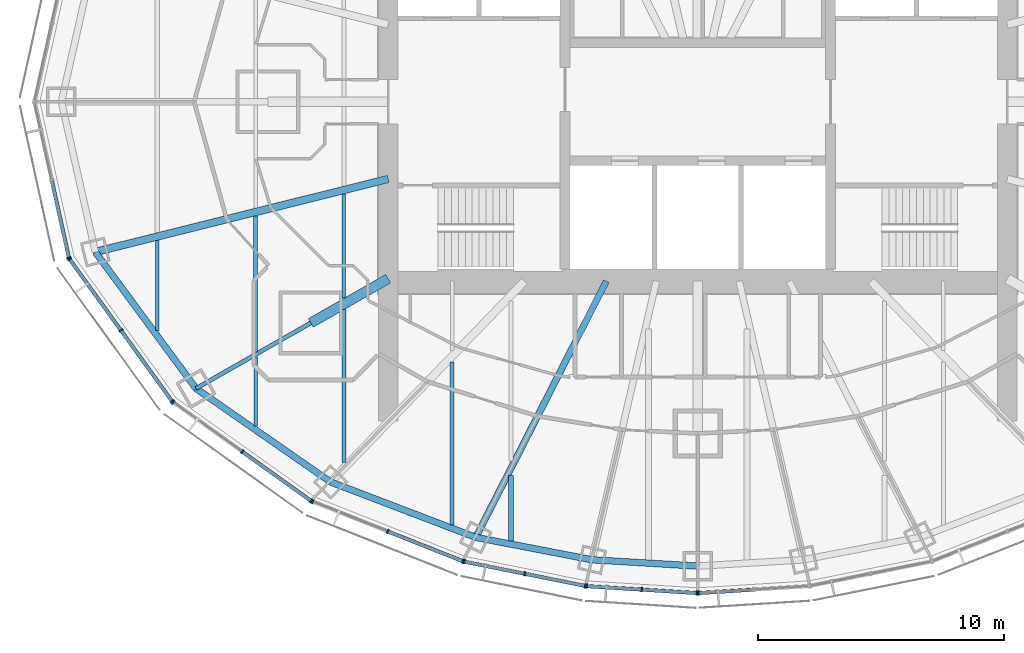
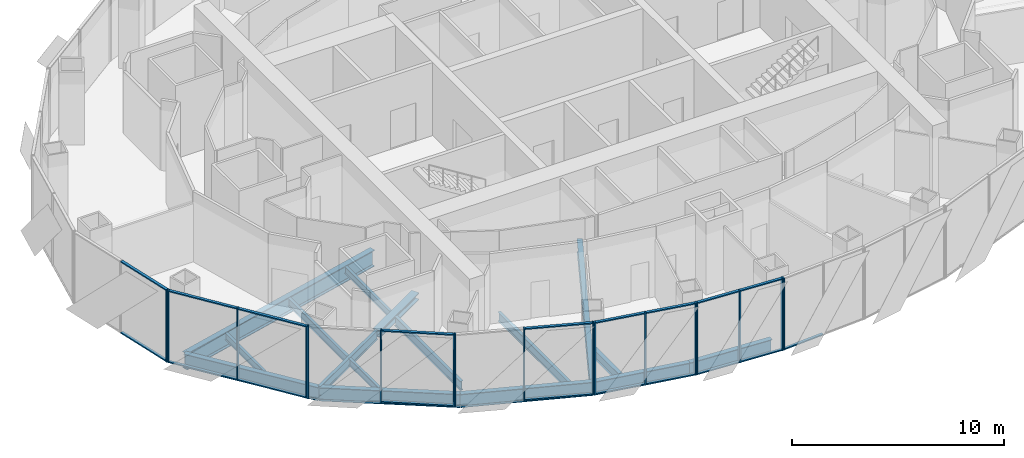
# One storey, part 2 of 18: 36 members, 16 beams, 7 elements without a shape of their own.
"""IFC4 building model written with IfcOpenShell, lengths in metres."""

from ifc_helpers import new_model, si_unit, direction, frame, origin, origin_2d, place, context, subcontext, project, spatial, rectangle, i_section, extrude, material, material_profile, profile_set, type_object, element, aggregate, save


model = new_model("IFC4")

# Units and contexts
model_context = context("Model", 3, precision=1e-05, world=origin(), true_north=direction((0.0, 1.0)))
body_context = subcontext(model_context, "Body", "Model", "MODEL_VIEW")
ifc_project = project(units=[si_unit("LENGTHUNIT", "METRE"), si_unit("AREAUNIT", "SQUARE_METRE"), si_unit("VOLUMEUNIT", "CUBIC_METRE"), si_unit("PLANEANGLEUNIT", "RADIAN"), si_unit("MASSUNIT", "GRAM", prefix="KILO")], contexts=[model_context])

# Site, building, storey
site_placement = place(None, origin())
site = spatial("IfcSite", under=ifc_project, at=site_placement, CompositionType="ELEMENT")
building_placement = place(site_placement, origin())
building = spatial("IfcBuilding", under=site, at=building_placement, Name="Lantaw Convention Tower", CompositionType="ELEMENT")
storey_placement = place(building_placement, frame((0.0, 0.0, 228.39990234375)))
storey = spatial("IfcBuildingStorey", under=building, at=storey_placement, Name="L53", CompositionType="ELEMENT", Elevation=228.39990234375)

# Beams
ifc_material_1 = material(Name="Steel ASTM A992", Category="steel")
ifc_material_profile_1 = material_profile(ifc_material_1, i_section(OverallWidth=0.2666015625, OverallDepth=0.76953125, WebThickness=0.015625, FlangeThickness=0.025390625, FilletRadius=0.0126953125, at=origin_2d()), Name="W30X132")
ifc_profile_set_1 = profile_set([ifc_material_profile_1], Name="Steel ASTM A992")
beam_type_1 = type_object("IfcBeamType", Name="Beam E W30X132", PredefinedType="SPANDREL", material=ifc_profile_set_1)
beam_1_placement = place(storey_placement, frame((-24.52197265625, -6.114013671875, -0.53466796875), z_axis=(0.593639188853, -0.804731329984, 0.0), x_axis=(0.804731329984, 0.593639188853, 0.0)))
element("IfcBeam", 1, at=beam_1_placement, inside=storey, type_object=beam_type_1, Name="Edge beam 14", PredefinedType="SPANDREL", context=body_context, shape_type="SweptSolid", body=[
    extrude(i_section(OverallWidth=0.2666015625, OverallDepth=0.76953125, WebThickness=0.015625, FlangeThickness=0.025390625, FilletRadius=0.0126953125, at=origin_2d()), origin(), (0.0, 0.0, 1.0), 6.904541015625),
])
beam_2_placement = place(storey_placement, frame((-20.423095703125, -11.67041015625, -0.53466796875), z_axis=(0.82135329406, -0.570419815869, 0.0), x_axis=(0.570419815869, 0.82135329406, 0.0)))
element("IfcBeam", 2, at=beam_2_placement, inside=storey, type_object=beam_type_1, Name="Edge beam 15", PredefinedType="SPANDREL", context=body_context, shape_type="SweptSolid", body=[
    extrude(i_section(OverallWidth=0.2666015625, OverallDepth=0.76953125, WebThickness=0.015625, FlangeThickness=0.025390625, FilletRadius=0.0126953125, at=origin_2d()), origin(), (0.0, 0.0, 1.0), 6.67041015625),
])
beam_3_placement = place(storey_placement, frame((-14.9443359375, -15.475341796875, -0.53466796875), z_axis=(0.934234988, -0.356658081637, 0.0), x_axis=(0.356658081637, 0.934234988, 0.0)))
element("IfcBeam", 3, at=beam_3_placement, inside=storey, type_object=beam_type_1, Name="Edge beam 16", PredefinedType="SPANDREL", context=body_context, shape_type="SweptSolid", body=[
    extrude(i_section(OverallWidth=0.2666015625, OverallDepth=0.76953125, WebThickness=0.015625, FlangeThickness=0.025390625, FilletRadius=0.0126953125, at=origin_2d()), origin(), (0.0, 0.0, 1.0), 6.32568359375),
])
beam_4_placement = place(storey_placement, frame((-9.03466796875, -17.7314453125, -0.53466796875), z_axis=(0.981972091702, -0.189025953556, 0.0), x_axis=(0.189025953556, 0.981972091702, 0.0)))
element("IfcBeam", 4, at=beam_4_placement, inside=storey, type_object=beam_type_1, Name="Edge beam 17", PredefinedType="SPANDREL", context=body_context, shape_type="SweptSolid", body=[
    extrude(i_section(OverallWidth=0.2666015625, OverallDepth=0.76953125, WebThickness=0.015625, FlangeThickness=0.025390625, FilletRadius=0.0126953125, at=origin_2d()), origin(), (0.0, 0.0, 1.0), 4.817626953125),
])
beam_5_placement = place(storey_placement, frame((-4.303955078125, -18.64208984375, -0.53466796875), z_axis=(0.998210730897, -0.059794119452, 0.0), x_axis=(0.059794119452, 0.998210730897, 0.0)))
element("IfcBeam", 5, at=beam_5_placement, inside=storey, type_object=beam_type_1, Name="Edge beam 18", PredefinedType="SPANDREL", context=body_context, shape_type="SweptSolid", body=[
    extrude(i_section(OverallWidth=0.2666015625, OverallDepth=0.76953125, WebThickness=0.015625, FlangeThickness=0.025390625, FilletRadius=0.0126953125, at=origin_2d()), origin(), (0.0, 0.0, 1.0), 4.311767578125),
])
ifc_material_profile_2 = material_profile(ifc_material_1, i_section(OverallWidth=0.1650390625, OverallDepth=0.52587890625, WebThickness=0.0087890625, FlangeThickness=0.011474609375, FilletRadius=0.0126953125, at=origin_2d()), Name="W21X44")
ifc_profile_set_2 = profile_set([ifc_material_profile_2], Name="Steel ASTM A992")
beam_type_2 = type_object("IfcBeamType", Name="Beam G W21X44", PredefinedType="BEAM", material=ifc_profile_set_2)
beam_6_placement = place(storey_placement, frame((-15.75, -9.0, -0.412841796875), z_axis=(-0.868237559289, -0.496148708192, 0.0), x_axis=(0.496148708192, -0.868237559289, 0.0)))
element("IfcBeam", 6, at=beam_6_placement, inside=storey, type_object=beam_type_2, Name="Floor girder on ray 15", PredefinedType="BEAM", context=body_context, shape_type="SweptSolid", body=[
    extrude(i_section(OverallWidth=0.1650390625, OverallDepth=0.52587890625, WebThickness=0.0087890625, FlangeThickness=0.011474609375, FilletRadius=0.0126953125, at=origin_2d()), origin(), (0.0, 0.0, 1.0), 5.38232421875),
])
ifc_material_profile_3 = material_profile(ifc_material_1, i_section(OverallWidth=0.2666015625, OverallDepth=0.7568359375, WebThickness=0.013916015625, FlangeThickness=0.019287109375, FilletRadius=0.0126953125, at=origin_2d()), Name="W30X108")
ifc_profile_set_3 = profile_set([ifc_material_profile_3], Name="Steel ASTM A992")
beam_type_3 = type_object("IfcBeamType", Name="Beam G W30X108", PredefinedType="BEAM", material=ifc_profile_set_3)
beam_7_placement = place(storey_placement, frame((-3.719482421875, -7.300048828125, -0.5283203125), z_axis=(-0.4539988787, -0.891002254845, 0.0), x_axis=(0.891002254845, -0.4539988787, 0.0)))
element("IfcBeam", 7, at=beam_7_placement, inside=storey, type_object=beam_type_3, Name="Floor girder on ray 17", PredefinedType="BEAM", context=body_context, shape_type="SweptSolid", body=[
    extrude(i_section(OverallWidth=0.2666015625, OverallDepth=0.7568359375, WebThickness=0.013916015625, FlangeThickness=0.019287109375, FilletRadius=0.0126953125, at=origin_2d()), origin(), (0.0, 0.0, 1.0), 11.70751953125),
])
ifc_material_profile_4 = material_profile(ifc_material_1, i_section(OverallWidth=0.307373046875, OverallDepth=0.9423828125, WebThickness=0.022216796875, FlangeThickness=0.039794921875, FilletRadius=0.0126953125, at=origin_2d()), Name="W36X232")
ifc_profile_set_4 = profile_set([ifc_material_profile_4], Name="Steel ASTM A992")
beam_type_4 = type_object("IfcBeamType", Name="Beam G W36X232", PredefinedType="BEAM", material=ifc_profile_set_4)
beam_8_placement = place(storey_placement, frame((-12.60009765625, -3.1416015625, -0.62109375), z_axis=(-0.970296589314, -0.241918434119, 0.0), x_axis=(0.241918434119, -0.970296589314, 0.0)))
element("IfcBeam", 8, at=beam_8_placement, inside=storey, type_object=beam_type_4, Name="Floor girder on ray 14", PredefinedType="BEAM", context=body_context, shape_type="SweptSolid", body=[
    extrude(i_section(OverallWidth=0.307373046875, OverallDepth=0.9423828125, WebThickness=0.022216796875, FlangeThickness=0.039794921875, FilletRadius=0.0126953125, at=origin_2d()), origin(), (0.0, 0.0, 1.0), 12.286865234375),
])
ifc_material_profile_5 = material_profile(ifc_material_1, i_section(OverallWidth=0.40380859375, OverallDepth=0.406494140625, WebThickness=0.027099609375, FlangeThickness=0.043701171875, FilletRadius=0.01513671875, at=origin_2d()), Name="W14X233")
ifc_profile_set_5 = profile_set([ifc_material_profile_5], Name="Steel ASTM A992")
beam_type_5 = type_object("IfcBeamType", Name="Beam GM W14X233", PredefinedType="BEAM", material=ifc_profile_set_5)
beam_9_placement = place(storey_placement, frame((-12.60009765625, -7.199951171875, -0.35302734375), z_axis=(-0.868230718294, -0.496160679428, 0.0), x_axis=(0.496160679428, -0.868230718294, 0.0)))
element("IfcBeam", 9, at=beam_9_placement, inside=storey, type_object=beam_type_5, Name="Core link beam on ray 15", PredefinedType="BEAM", context=body_context, shape_type="SweptSolid", body=[
    extrude(i_section(OverallWidth=0.40380859375, OverallDepth=0.406494140625, WebThickness=0.027099609375, FlangeThickness=0.043701171875, FilletRadius=0.01513671875, at=origin_2d()), origin(), (0.0, 0.0, 1.0), 3.6279296875),
])
ifc_material_profile_6 = material_profile(ifc_material_1, i_section(OverallWidth=0.140380859375, OverallDepth=0.40380859375, WebThickness=0.007080078125, FlangeThickness=0.01123046875, FilletRadius=0.01025390625, at=origin_2d()), Name="W16X31")
ifc_profile_set_6 = profile_set([ifc_material_profile_6], Name="Steel ASTM A992")
beam_type_6 = type_object("IfcBeamType", Name="Beam J W16X31", PredefinedType="JOIST", material=ifc_profile_set_6)
beam_10_placement = place(storey_placement, frame((-22.0, -9.30810546875, -0.351806640625), z_axis=(0.0, 1.0, 0.0), x_axis=(-1.0, 0.0, 0.0)))
element("IfcBeam", 10, at=beam_10_placement, inside=storey, type_object=beam_type_6, Name="Floor joist", PredefinedType="JOIST", context=body_context, shape_type="SweptSolid", body=[
    extrude(i_section(OverallWidth=0.140380859375, OverallDepth=0.40380859375, WebThickness=0.007080078125, FlangeThickness=0.01123046875, FilletRadius=0.01025390625, at=origin_2d()), origin(), (0.0, 0.0, 1.0), 3.66455078125),
])
beam_11_placement = place(storey_placement, frame((-18.0, -13.19091796875, -0.351806640625), z_axis=(0.0, 1.0, 0.0), x_axis=(-1.0, 0.0, 0.0)))
element("IfcBeam", 11, at=beam_11_placement, inside=storey, type_object=beam_type_6, Name="Floor joist", PredefinedType="JOIST", context=body_context, shape_type="SweptSolid", body=[
    extrude(i_section(OverallWidth=0.140380859375, OverallDepth=0.40380859375, WebThickness=0.007080078125, FlangeThickness=0.01123046875, FilletRadius=0.01025390625, at=origin_2d()), origin(), (0.0, 0.0, 1.0), 2.81005859375),
])
beam_12_placement = place(storey_placement, frame((-14.39990234375, -7.99609375, -0.351806640625), z_axis=(0.0, 1.0, 0.0), x_axis=(-1.0, 0.0, 0.0)))
element("IfcBeam", 12, at=beam_12_placement, inside=storey, type_object=beam_type_6, Name="Floor joist", PredefinedType="JOIST", context=body_context, shape_type="SweptSolid", body=[
    extrude(i_section(OverallWidth=0.140380859375, OverallDepth=0.40380859375, WebThickness=0.007080078125, FlangeThickness=0.01123046875, FilletRadius=0.01025390625, at=origin_2d()), origin(), (0.0, 0.0, 1.0), 4.247314453125),
])
ifc_material_profile_7 = material_profile(ifc_material_1, i_section(OverallWidth=0.15234375, OverallDepth=0.449462890625, WebThickness=0.007568359375, FlangeThickness=0.0107421875, FilletRadius=0.01025390625, at=origin_2d()), Name="W18X35")
ifc_profile_set_7 = profile_set([ifc_material_profile_7], Name="Steel ASTM A992")
beam_type_7 = type_object("IfcBeamType", Name="Beam J W18X35", PredefinedType="JOIST", material=ifc_profile_set_7)
beam_13_placement = place(storey_placement, frame((-18.0, -10.190673828125, -0.374755859375), z_axis=(0.0, 1.0, 0.0), x_axis=(-1.0, 0.0, 0.0)))
element("IfcBeam", 13, at=beam_13_placement, inside=storey, type_object=beam_type_7, Name="Floor joist", PredefinedType="JOIST", context=body_context, shape_type="SweptSolid", body=[
    extrude(i_section(OverallWidth=0.15234375, OverallDepth=0.449462890625, WebThickness=0.007568359375, FlangeThickness=0.0107421875, FilletRadius=0.01025390625, at=origin_2d()), origin(), (0.0, 0.0, 1.0), 5.54443359375),
])
ifc_material_profile_8 = material_profile(ifc_material_1, i_section(OverallWidth=0.1650390625, OverallDepth=0.52587890625, WebThickness=0.0087890625, FlangeThickness=0.011474609375, FilletRadius=0.0126953125, at=origin_2d()), Name="W21X44")
ifc_profile_set_8 = profile_set([ifc_material_profile_8], Name="Steel ASTM A992")
beam_type_8 = type_object("IfcBeamType", Name="Beam J W21X44", PredefinedType="JOIST", material=ifc_profile_set_8)
beam_14_placement = place(storey_placement, frame((-14.39990234375, -14.67578125, -0.412841796875), z_axis=(0.0, 1.0, 0.0), x_axis=(-1.0, 0.0, 0.0)))
element("IfcBeam", 14, at=beam_14_placement, inside=storey, type_object=beam_type_8, Name="Floor joist", PredefinedType="JOIST", context=body_context, shape_type="SweptSolid", body=[
    extrude(i_section(OverallWidth=0.1650390625, OverallDepth=0.52587890625, WebThickness=0.0087890625, FlangeThickness=0.011474609375, FilletRadius=0.0126953125, at=origin_2d()), origin(), (0.0, 0.0, 1.0), 6.214599609375),
])
beam_15_placement = place(storey_placement, frame((-10.0, -17.22021484375, -0.412841796875), z_axis=(0.0, 1.0, 0.0), x_axis=(-1.0, 0.0, 0.0)))
element("IfcBeam", 15, at=beam_15_placement, inside=storey, type_object=beam_type_8, Name="Floor joist", PredefinedType="JOIST", context=body_context, shape_type="SweptSolid", body=[
    extrude(i_section(OverallWidth=0.1650390625, OverallDepth=0.52587890625, WebThickness=0.0087890625, FlangeThickness=0.011474609375, FilletRadius=0.0126953125, at=origin_2d()), origin(), (0.0, 0.0, 1.0), 6.629150390625),
])
ifc_material_profile_9 = material_profile(ifc_material_1, i_section(OverallWidth=0.2099609375, OverallDepth=0.535888671875, WebThickness=0.010986328125, FlangeThickness=0.017333984375, FilletRadius=0.012939453125, at=origin_2d()), Name="W21X68")
ifc_profile_set_9 = profile_set([ifc_material_profile_9], Name="Steel ASTM A992")
beam_type_9 = type_object("IfcBeamType", Name="Beam J W21X68", PredefinedType="JOIST", material=ifc_profile_set_9)
beam_16_placement = place(storey_placement, frame((-7.60009765625, -17.871826171875, -0.41796875), z_axis=(0.0, 1.0, 0.0), x_axis=(-1.0, 0.0, 0.0)))
element("IfcBeam", 16, at=beam_16_placement, inside=storey, type_object=beam_type_9, Name="Floor joist", PredefinedType="JOIST", context=body_context, shape_type="SweptSolid", body=[
    extrude(i_section(OverallWidth=0.2099609375, OverallDepth=0.535888671875, WebThickness=0.010986328125, FlangeThickness=0.017333984375, FilletRadius=0.012939453125, at=origin_2d()), origin(), (0.0, 0.0, 1.0), 2.662353515625),
])

# Curtain wall, member
ifc_material_2 = material(Name="Aluminium framed curtain wall", Category="aluminium")
curtain_wall_type = type_object("IfcCurtainWallType", Name="Office curtain wall high rise, pale aluminium", PredefinedType="USERDEFINED", material=ifc_material_2)
curtain_wall_1_placement = place(storey_placement, origin())
curtain_wall_1 = element("IfcCurtainWall", 17, at=curtain_wall_1_placement, inside=storey, type_object=curtain_wall_type, Name="Office curtain wall high rise, pale aluminium L53", ObjectType="UNITISED CURTAIN WALL", PredefinedType="USERDEFINED")
ifc_material_3 = material(Name="Aluminium 6063-T6", Category="aluminium")
ifc_material_profile_10 = material_profile(ifc_material_3, rectangle(XDim=0.179931640625, YDim=0.06494140625, at=origin_2d()), Name="CW-O2 mullion 65x180")
ifc_profile_set_10 = profile_set([ifc_material_profile_10], Name="Aluminium 6063-T6")
member_type_1 = type_object("IfcMemberType", Name="CW-O2 mullion 65x180", PredefinedType="MULLION", material=ifc_profile_set_10)
member_1_placement = place(storey_placement, frame((-25.596435546875, -6.348388671875, -0.14990234375), z_axis=(0.0, 0.0, 1.0), x_axis=(0.976417396437, 0.215891333626, 0.0)))
member_1 = element("IfcMember", 18, at=member_1_placement, type_object=member_type_1, Name="CW-O2 mullion 3", PredefinedType="MULLION", context=body_context, shape_type="SweptSolid", body=[
    extrude(rectangle(XDim=0.179931640625, YDim=0.06494140625, at=origin_2d()), origin(), (0.0, 0.0, 1.0), 4.14990234375),
])

# Curtain wall, members
curtain_wall_2_placement = place(storey_placement, origin())
curtain_wall_2 = element("IfcCurtainWall", 19, at=curtain_wall_2_placement, inside=storey, type_object=curtain_wall_type, Name="Office curtain wall high rise, pale aluminium L53", ObjectType="UNITISED CURTAIN WALL", PredefinedType="USERDEFINED")
member_2_placement = place(storey_placement, frame((-25.5703125, -6.406494140625, -0.14990234375), z_axis=(0.0, 0.0, 1.0), x_axis=(0.810919559405, 0.585157643865, 0.0)))
member_2 = element("IfcMember", 20, at=member_2_placement, type_object=member_type_1, Name="CW-O2 mullion 1", PredefinedType="MULLION", context=body_context, shape_type="SweptSolid", body=[
    extrude(rectangle(XDim=0.179931640625, YDim=0.06494140625, at=origin_2d()), origin(), (0.0, 0.0, 1.0), 4.14990234375),
])
member_3_placement = place(storey_placement, frame((-23.483642578125, -9.298095703125, -0.14990234375), z_axis=(0.0, 0.0, 1.0), x_axis=(0.810919559405, 0.585157643865, 0.0)))
member_3 = element("IfcMember", 21, at=member_3_placement, type_object=member_type_1, Name="CW-O2 mullion 2", PredefinedType="MULLION", context=body_context, shape_type="SweptSolid", body=[
    extrude(rectangle(XDim=0.179931640625, YDim=0.06494140625, at=origin_2d()), origin(), (0.0, 0.0, 1.0), 4.14990234375),
])
member_4_placement = place(storey_placement, frame((-21.397216796875, -12.189697265625, -0.14990234375), z_axis=(0.0, 0.0, 1.0), x_axis=(0.810919559405, 0.585157643865, 0.0)))
member_4 = element("IfcMember", 22, at=member_4_placement, type_object=member_type_1, Name="CW-O2 mullion 3", PredefinedType="MULLION", context=body_context, shape_type="SweptSolid", body=[
    extrude(rectangle(XDim=0.179931640625, YDim=0.06494140625, at=origin_2d()), origin(), (0.0, 0.0, 1.0), 4.14990234375),
])

curtain_wall_3_placement = place(storey_placement, origin())
curtain_wall_3 = element("IfcCurtainWall", 23, at=curtain_wall_3_placement, inside=storey, type_object=curtain_wall_type, Name="Office curtain wall high rise, pale aluminium L53", ObjectType="UNITISED CURTAIN WALL", PredefinedType="USERDEFINED")
member_5_placement = place(storey_placement, frame((-21.3515625, -12.23486328125, -0.14990234375), z_axis=(0.0, 0.0, 1.0), x_axis=(0.581323487281, 0.813672540482, 0.0)))
member_5 = element("IfcMember", 24, at=member_5_placement, type_object=member_type_1, Name="CW-O2 mullion 1", PredefinedType="MULLION", context=body_context, shape_type="SweptSolid", body=[
    extrude(rectangle(XDim=0.179931640625, YDim=0.06494140625, at=origin_2d()), origin(), (0.0, 0.0, 1.0), 4.14990234375),
])
member_6_placement = place(storey_placement, frame((-18.543212890625, -14.241455078125, -0.14990234375), z_axis=(0.0, 0.0, 1.0), x_axis=(0.581323487281, 0.813672540482, 0.0)))
member_6 = element("IfcMember", 25, at=member_6_placement, type_object=member_type_1, Name="CW-O2 mullion 2", PredefinedType="MULLION", context=body_context, shape_type="SweptSolid", body=[
    extrude(rectangle(XDim=0.179931640625, YDim=0.06494140625, at=origin_2d()), origin(), (0.0, 0.0, 1.0), 4.14990234375),
])
member_7_placement = place(storey_placement, frame((-15.73486328125, -16.247802734375, -0.14990234375), z_axis=(0.0, 0.0, 1.0), x_axis=(0.581323487281, 0.813672540482, 0.0)))
member_7 = element("IfcMember", 26, at=member_7_placement, type_object=member_type_1, Name="CW-O2 mullion 3", PredefinedType="MULLION", context=body_context, shape_type="SweptSolid", body=[
    extrude(rectangle(XDim=0.179931640625, YDim=0.06494140625, at=origin_2d()), origin(), (0.0, 0.0, 1.0), 4.14990234375),
])

curtain_wall_4_placement = place(storey_placement, origin())
curtain_wall_4 = element("IfcCurtainWall", 27, at=curtain_wall_4_placement, inside=storey, type_object=curtain_wall_type, Name="Office curtain wall high rise, pale aluminium L53", ObjectType="UNITISED CURTAIN WALL", PredefinedType="USERDEFINED")
member_8_placement = place(storey_placement, frame((-15.67822265625, -16.278564453125, -0.14990234375), z_axis=(0.0, 0.0, 1.0), x_axis=(0.368162315252, 0.929761533743, 0.0)))
member_8 = element("IfcMember", 28, at=member_8_placement, type_object=member_type_1, Name="CW-O2 mullion 1", PredefinedType="MULLION", context=body_context, shape_type="SweptSolid", body=[
    extrude(rectangle(XDim=0.179931640625, YDim=0.06494140625, at=origin_2d()), origin(), (0.0, 0.0, 1.0), 4.14990234375),
])
member_9_placement = place(storey_placement, frame((-12.621337890625, -17.4892578125, -0.14990234375), z_axis=(0.0, 0.0, 1.0), x_axis=(0.368162315252, 0.929761533743, 0.0)))
member_9 = element("IfcMember", 29, at=member_9_placement, type_object=member_type_1, Name="CW-O2 mullion 2", PredefinedType="MULLION", context=body_context, shape_type="SweptSolid", body=[
    extrude(rectangle(XDim=0.179931640625, YDim=0.06494140625, at=origin_2d()), origin(), (0.0, 0.0, 1.0), 4.14990234375),
])
member_10_placement = place(storey_placement, frame((-9.564208984375, -18.69970703125, -0.14990234375), z_axis=(0.0, 0.0, 1.0), x_axis=(0.368162315252, 0.929761533743, 0.0)))
member_10 = element("IfcMember", 30, at=member_10_placement, type_object=member_type_1, Name="CW-O2 mullion 3", PredefinedType="MULLION", context=body_context, shape_type="SweptSolid", body=[
    extrude(rectangle(XDim=0.179931640625, YDim=0.06494140625, at=origin_2d()), origin(), (0.0, 0.0, 1.0), 4.14990234375),
])

curtain_wall_5_placement = place(storey_placement, origin())
curtain_wall_5 = element("IfcCurtainWall", 31, at=curtain_wall_5_placement, inside=storey, type_object=curtain_wall_type, Name="Office curtain wall high rise, pale aluminium L53", ObjectType="UNITISED CURTAIN WALL", PredefinedType="USERDEFINED")
member_11_placement = place(storey_placement, frame((-9.502197265625, -18.718017578125, -0.14990234375), z_axis=(0.0, 0.0, 1.0), x_axis=(0.197183095987, 0.980366679695, 0.0)))
member_11 = element("IfcMember", 32, at=member_11_placement, type_object=member_type_1, Name="CW-O2 mullion 1", PredefinedType="MULLION", context=body_context, shape_type="SweptSolid", body=[
    extrude(rectangle(XDim=0.179931640625, YDim=0.06494140625, at=origin_2d()), origin(), (0.0, 0.0, 1.0), 4.14990234375),
])
member_12_placement = place(storey_placement, frame((-7.042724609375, -19.212646484375, -0.14990234375), z_axis=(0.0, 0.0, 1.0), x_axis=(0.197183095987, 0.980366679695, 0.0)))
member_12 = element("IfcMember", 33, at=member_12_placement, type_object=member_type_1, Name="CW-O2 mullion 2", PredefinedType="MULLION", context=body_context, shape_type="SweptSolid", body=[
    extrude(rectangle(XDim=0.179931640625, YDim=0.06494140625, at=origin_2d()), origin(), (0.0, 0.0, 1.0), 4.14990234375),
])
member_13_placement = place(storey_placement, frame((-4.583251953125, -19.70751953125, -0.14990234375), z_axis=(0.0, 0.0, 1.0), x_axis=(0.197183095987, 0.980366679695, 0.0)))
member_13 = element("IfcMember", 34, at=member_13_placement, type_object=member_type_1, Name="CW-O2 mullion 3", PredefinedType="MULLION", context=body_context, shape_type="SweptSolid", body=[
    extrude(rectangle(XDim=0.179931640625, YDim=0.06494140625, at=origin_2d()), origin(), (0.0, 0.0, 1.0), 4.14990234375),
])

curtain_wall_6_placement = place(storey_placement, origin())
curtain_wall_6 = element("IfcCurtainWall", 35, at=curtain_wall_6_placement, inside=storey, type_object=curtain_wall_type, Name="Office curtain wall high rise, pale aluminium L53", ObjectType="UNITISED CURTAIN WALL", PredefinedType="USERDEFINED")
member_14_placement = place(storey_placement, frame((-4.518798828125, -19.7158203125, -0.14990234375), z_axis=(0.0, 0.0, 1.0), x_axis=(0.062757983884, 0.998028774865, 0.0)))
member_14 = element("IfcMember", 36, at=member_14_placement, type_object=member_type_1, Name="CW-O2 mullion 1", PredefinedType="MULLION", context=body_context, shape_type="SweptSolid", body=[
    extrude(rectangle(XDim=0.179931640625, YDim=0.06494140625, at=origin_2d()), origin(), (0.0, 0.0, 1.0), 4.14990234375),
])
member_15_placement = place(storey_placement, frame((-2.275634765625, -19.85693359375, -0.14990234375), z_axis=(0.0, 0.0, 1.0), x_axis=(0.062757983884, 0.998028774865, 0.0)))
member_15 = element("IfcMember", 37, at=member_15_placement, type_object=member_type_1, Name="CW-O2 mullion 2", PredefinedType="MULLION", context=body_context, shape_type="SweptSolid", body=[
    extrude(rectangle(XDim=0.179931640625, YDim=0.06494140625, at=origin_2d()), origin(), (0.0, 0.0, 1.0), 4.14990234375),
])
member_16_placement = place(storey_placement, frame((-0.032470703125, -19.998046875, -0.14990234375), z_axis=(0.0, 0.0, 1.0), x_axis=(0.062757983884, 0.998028774865, 0.0)))
member_16 = element("IfcMember", 38, at=member_16_placement, type_object=member_type_1, Name="CW-O2 mullion 3", PredefinedType="MULLION", context=body_context, shape_type="SweptSolid", body=[
    extrude(rectangle(XDim=0.179931640625, YDim=0.06494140625, at=origin_2d()), origin(), (0.0, 0.0, 1.0), 4.14990234375),
])

# Curtain wall, member
curtain_wall_7_placement = place(storey_placement, origin())
curtain_wall_7 = element("IfcCurtainWall", 39, at=curtain_wall_7_placement, inside=storey, type_object=curtain_wall_type, Name="Office curtain wall high rise, pale aluminium L53", ObjectType="UNITISED CURTAIN WALL", PredefinedType="USERDEFINED")
member_17_placement = place(storey_placement, frame((0.032470703125, -19.998046875, -0.14990234375), z_axis=(0.0, 0.0, 1.0), x_axis=(-0.062757983884, 0.998028774865, 0.0)))
member_17 = element("IfcMember", 40, at=member_17_placement, type_object=member_type_1, Name="CW-O2 mullion 1", PredefinedType="MULLION", context=body_context, shape_type="SweptSolid", body=[
    extrude(rectangle(XDim=0.179931640625, YDim=0.06494140625, at=origin_2d()), origin(), (0.0, 0.0, 1.0), 4.14990234375),
])

# Member
ifc_material_profile_11 = material_profile(ifc_material_3, rectangle(XDim=0.14990234375, YDim=0.06494140625, at=origin_2d()), Name="CW-O2 transom 65x150")
ifc_profile_set_11 = profile_set([ifc_material_profile_11], Name="Aluminium 6063-T6")
member_type_2 = type_object("IfcMemberType", Name="CW-O2 transom 65x150", PredefinedType="USERDEFINED", material=ifc_profile_set_11)
member_18_placement = place(storey_placement, frame((-26.28759765625, -3.2216796875, -0.117431640625), z_axis=(0.215894607042, -0.976416672661, 0.0), x_axis=(0.976416672661, 0.215894607042, 0.0)))
member_18 = element("IfcMember", 41, at=member_18_placement, type_object=member_type_2, Name="CW-O2 transom 2.1", ObjectType="TRANSOM", PredefinedType="USERDEFINED", context=body_context, shape_type="SweptSolid", body=[
    extrude(rectangle(XDim=0.14990234375, YDim=0.06494140625, at=origin_2d()), origin(), (0.0, 0.0, 1.0), 3.169677734375),
])

member_19_placement = place(storey_placement, frame((-26.28759765625, -3.2216796875, 3.967529296875), z_axis=(0.215894607042, -0.976416672661, 0.0), x_axis=(0.976416672661, 0.215894607042, 0.0)))
member_19 = element("IfcMember", 42, at=member_19_placement, type_object=member_type_2, Name="CW-O2 transom 2.2", ObjectType="TRANSOM", PredefinedType="USERDEFINED", context=body_context, shape_type="SweptSolid", body=[
    extrude(rectangle(XDim=0.14990234375, YDim=0.06494140625, at=origin_2d()), origin(), (0.0, 0.0, 1.0), 3.169677734375),
])

aggregate(curtain_wall_1, [member_1, member_18, member_19])

member_20_placement = place(storey_placement, frame((-25.55126953125, -6.432861328125, -0.117431640625), z_axis=(0.585169685931, -0.810910869743, 0.0), x_axis=(0.810910869743, 0.585169685931, 0.0)))
member_20 = element("IfcMember", 43, at=member_20_placement, type_object=member_type_2, Name="CW-O2 transom 1.1", ObjectType="TRANSOM", PredefinedType="USERDEFINED", context=body_context, shape_type="SweptSolid", body=[
    extrude(rectangle(XDim=0.14990234375, YDim=0.06494140625, at=origin_2d()), origin(), (0.0, 0.0, 1.0), 3.500732421875),
])

member_21_placement = place(storey_placement, frame((-25.55126953125, -6.432861328125, 3.967529296875), z_axis=(0.585169685931, -0.810910869743, 0.0), x_axis=(0.810910869743, 0.585169685931, 0.0)))
member_21 = element("IfcMember", 44, at=member_21_placement, type_object=member_type_2, Name="CW-O2 transom 1.2", ObjectType="TRANSOM", PredefinedType="USERDEFINED", context=body_context, shape_type="SweptSolid", body=[
    extrude(rectangle(XDim=0.14990234375, YDim=0.06494140625, at=origin_2d()), origin(), (0.0, 0.0, 1.0), 3.500732421875),
])

member_22_placement = place(storey_placement, frame((-23.464599609375, -9.324462890625, -0.117431640625), z_axis=(0.585123825205, -0.810943961798, 0.0), x_axis=(0.810943961798, 0.585123825205, 0.0)))
member_22 = element("IfcMember", 45, at=member_22_placement, type_object=member_type_2, Name="CW-O2 transom 2.1", ObjectType="TRANSOM", PredefinedType="USERDEFINED", context=body_context, shape_type="SweptSolid", body=[
    extrude(rectangle(XDim=0.14990234375, YDim=0.06494140625, at=origin_2d()), origin(), (0.0, 0.0, 1.0), 3.500732421875),
])

member_23_placement = place(storey_placement, frame((-23.464599609375, -9.324462890625, 3.967529296875), z_axis=(0.585123825205, -0.810943961798, 0.0), x_axis=(0.810943961798, 0.585123825205, 0.0)))
member_23 = element("IfcMember", 46, at=member_23_placement, type_object=member_type_2, Name="CW-O2 transom 2.2", ObjectType="TRANSOM", PredefinedType="USERDEFINED", context=body_context, shape_type="SweptSolid", body=[
    extrude(rectangle(XDim=0.14990234375, YDim=0.06494140625, at=origin_2d()), origin(), (0.0, 0.0, 1.0), 3.500732421875),
])

aggregate(curtain_wall_2, [member_2, member_3, member_4, member_20, member_21, member_22, member_23])

member_24_placement = place(storey_placement, frame((-18.516845703125, -14.26025390625, -0.117431640625), z_axis=(0.813645780821, -0.581360940683, 0.0), x_axis=(0.581360940683, 0.813645780821, 0.0)))
member_24 = element("IfcMember", 47, at=member_24_placement, type_object=member_type_2, Name="CW-O2 transom 2.1", ObjectType="TRANSOM", PredefinedType="USERDEFINED", context=body_context, shape_type="SweptSolid", body=[
    extrude(rectangle(XDim=0.14990234375, YDim=0.06494140625, at=origin_2d()), origin(), (0.0, 0.0, 1.0), 3.386474609375),
])

member_25_placement = place(storey_placement, frame((-18.516845703125, -14.26025390625, 3.967529296875), z_axis=(0.813645780821, -0.581360940683, 0.0), x_axis=(0.581360940683, 0.813645780821, 0.0)))
member_25 = element("IfcMember", 48, at=member_25_placement, type_object=member_type_2, Name="CW-O2 transom 2.2", ObjectType="TRANSOM", PredefinedType="USERDEFINED", context=body_context, shape_type="SweptSolid", body=[
    extrude(rectangle(XDim=0.14990234375, YDim=0.06494140625, at=origin_2d()), origin(), (0.0, 0.0, 1.0), 3.386474609375),
])

aggregate(curtain_wall_3, [member_5, member_6, member_7, member_24, member_25])

member_26_placement = place(storey_placement, frame((-12.591064453125, -17.501220703125, -0.117431640625), z_axis=(0.929766642946, -0.368149412149, 0.0), x_axis=(0.368149412149, 0.929766642946, 0.0)))
member_26 = element("IfcMember", 49, at=member_26_placement, type_object=member_type_2, Name="CW-O2 transom 2.1", ObjectType="TRANSOM", PredefinedType="USERDEFINED", context=body_context, shape_type="SweptSolid", body=[
    extrude(rectangle(XDim=0.14990234375, YDim=0.06494140625, at=origin_2d()), origin(), (0.0, 0.0, 1.0), 3.222900390625),
])

member_27_placement = place(storey_placement, frame((-12.591064453125, -17.501220703125, 3.967529296875), z_axis=(0.929766642946, -0.368149412149, 0.0), x_axis=(0.368149412149, 0.929766642946, 0.0)))
member_27 = element("IfcMember", 50, at=member_27_placement, type_object=member_type_2, Name="CW-O2 transom 2.2", ObjectType="TRANSOM", PredefinedType="USERDEFINED", context=body_context, shape_type="SweptSolid", body=[
    extrude(rectangle(XDim=0.14990234375, YDim=0.06494140625, at=origin_2d()), origin(), (0.0, 0.0, 1.0), 3.222900390625),
])

aggregate(curtain_wall_4, [member_8, member_9, member_10, member_26, member_27])

member_28_placement = place(storey_placement, frame((-9.47021484375, -18.724365234375, -0.117431640625), z_axis=(0.98036104319, -0.197211117829, 0.0), x_axis=(0.197211117829, 0.98036104319, 0.0)))
member_28 = element("IfcMember", 51, at=member_28_placement, type_object=member_type_2, Name="CW-O2 transom 1.1", ObjectType="TRANSOM", PredefinedType="USERDEFINED", context=body_context, shape_type="SweptSolid", body=[
    extrude(rectangle(XDim=0.14990234375, YDim=0.06494140625, at=origin_2d()), origin(), (0.0, 0.0, 1.0), 2.44384765625),
])

member_29_placement = place(storey_placement, frame((-9.47021484375, -18.724365234375, 3.967529296875), z_axis=(0.98036104319, -0.197211117829, 0.0), x_axis=(0.197211117829, 0.98036104319, 0.0)))
member_29 = element("IfcMember", 52, at=member_29_placement, type_object=member_type_2, Name="CW-O2 transom 1.2", ObjectType="TRANSOM", PredefinedType="USERDEFINED", context=body_context, shape_type="SweptSolid", body=[
    extrude(rectangle(XDim=0.14990234375, YDim=0.06494140625, at=origin_2d()), origin(), (0.0, 0.0, 1.0), 2.44384765625),
])

member_30_placement = place(storey_placement, frame((-7.0107421875, -19.21923828125, -0.117431640625), z_axis=(0.980380354178, -0.197115096178, 0.0), x_axis=(0.197115096178, 0.980380354178, 0.0)))
member_30 = element("IfcMember", 53, at=member_30_placement, type_object=member_type_2, Name="CW-O2 transom 2.1", ObjectType="TRANSOM", PredefinedType="USERDEFINED", context=body_context, shape_type="SweptSolid", body=[
    extrude(rectangle(XDim=0.14990234375, YDim=0.06494140625, at=origin_2d()), origin(), (0.0, 0.0, 1.0), 2.443603515625),
])

member_31_placement = place(storey_placement, frame((-7.0107421875, -19.21923828125, 3.967529296875), z_axis=(0.980380354178, -0.197115096178, 0.0), x_axis=(0.197115096178, 0.980380354178, 0.0)))
member_31 = element("IfcMember", 54, at=member_31_placement, type_object=member_type_2, Name="CW-O2 transom 2.2", ObjectType="TRANSOM", PredefinedType="USERDEFINED", context=body_context, shape_type="SweptSolid", body=[
    extrude(rectangle(XDim=0.14990234375, YDim=0.06494140625, at=origin_2d()), origin(), (0.0, 0.0, 1.0), 2.443603515625),
])

aggregate(curtain_wall_5, [member_11, member_12, member_13, member_28, member_29, member_30, member_31])

member_32_placement = place(storey_placement, frame((-4.486328125, -19.7177734375, -0.117431640625), z_axis=(0.998021991509, -0.062865765437, 0.0), x_axis=(0.062865765437, 0.998021991509, 0.0)))
member_32 = element("IfcMember", 55, at=member_32_placement, type_object=member_type_2, Name="CW-O2 transom 1.1", ObjectType="TRANSOM", PredefinedType="USERDEFINED", context=body_context, shape_type="SweptSolid", body=[
    extrude(rectangle(XDim=0.14990234375, YDim=0.06494140625, at=origin_2d()), origin(), (0.0, 0.0, 1.0), 2.1826171875),
])

member_33_placement = place(storey_placement, frame((-4.486328125, -19.7177734375, 3.967529296875), z_axis=(0.998021991509, -0.062865765437, 0.0), x_axis=(0.062865765437, 0.998021991509, 0.0)))
member_33 = element("IfcMember", 56, at=member_33_placement, type_object=member_type_2, Name="CW-O2 transom 1.2", ObjectType="TRANSOM", PredefinedType="USERDEFINED", context=body_context, shape_type="SweptSolid", body=[
    extrude(rectangle(XDim=0.14990234375, YDim=0.06494140625, at=origin_2d()), origin(), (0.0, 0.0, 1.0), 2.1826171875),
])

member_34_placement = place(storey_placement, frame((-2.2431640625, -19.85888671875, -0.117431640625), z_axis=(0.998029003644, -0.062754345555, 0.0), x_axis=(0.062754345555, 0.998029003644, 0.0)))
member_34 = element("IfcMember", 57, at=member_34_placement, type_object=member_type_2, Name="CW-O2 transom 2.1", ObjectType="TRANSOM", PredefinedType="USERDEFINED", context=body_context, shape_type="SweptSolid", body=[
    extrude(rectangle(XDim=0.14990234375, YDim=0.06494140625, at=origin_2d()), origin(), (0.0, 0.0, 1.0), 2.1826171875),
])

member_35_placement = place(storey_placement, frame((-2.2431640625, -19.85888671875, 3.967529296875), z_axis=(0.998029003644, -0.062754345555, 0.0), x_axis=(0.062754345555, 0.998029003644, 0.0)))
member_35 = element("IfcMember", 58, at=member_35_placement, type_object=member_type_2, Name="CW-O2 transom 2.2", ObjectType="TRANSOM", PredefinedType="USERDEFINED", context=body_context, shape_type="SweptSolid", body=[
    extrude(rectangle(XDim=0.14990234375, YDim=0.06494140625, at=origin_2d()), origin(), (0.0, 0.0, 1.0), 2.1826171875),
])

aggregate(curtain_wall_6, [member_14, member_15, member_16, member_32, member_33, member_34, member_35])

member_36_placement = place(storey_placement, frame((0.06494140625, -19.995849609375, -0.117431640625), z_axis=(0.998029003644, 0.062754345555, 0.0), x_axis=(-0.062754345555, 0.998029003644, 0.0)))
member_36 = element("IfcMember", 59, at=member_36_placement, type_object=member_type_2, Name="CW-O2 transom 1.1", ObjectType="TRANSOM", PredefinedType="USERDEFINED", context=body_context, shape_type="SweptSolid", body=[
    extrude(rectangle(XDim=0.14990234375, YDim=0.06494140625, at=origin_2d()), origin(), (0.0, 0.0, 1.0), 2.1826171875),
])

aggregate(curtain_wall_7, [member_17, member_36])

save(model, "model.ifc")
